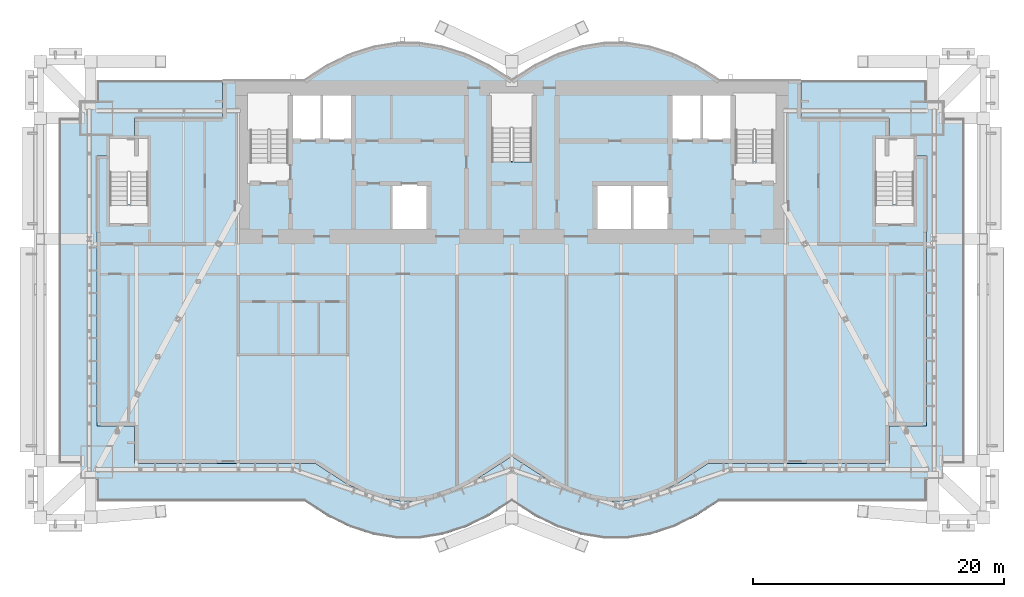
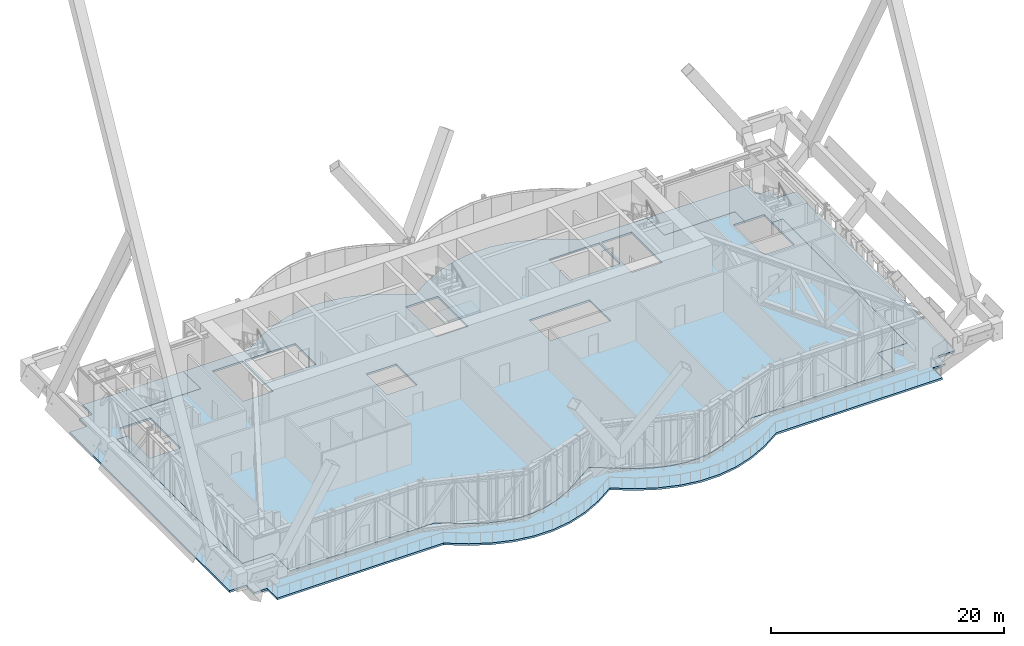
# One storey, part 20 of 30: 3 slabs, 1 element without a shape of its own.
"""IFC4 building model written with IfcOpenShell, lengths in metres."""

from ifc_helpers import new_model, si_unit, direction, frame, origin, place, context, subcontext, project, spatial, polyline, outline, extrude, material, layer, layer_set, type_object, element, aggregate, save


model = new_model("IFC4")

# Units and contexts
model_context = context("Model", 3, precision=1e-05, world=origin(), true_north=direction((0.0, 1.0)))
body_context = subcontext(model_context, "Body", "Model", "MODEL_VIEW")
ifc_project = project(units=[si_unit("LENGTHUNIT", "METRE"), si_unit("AREAUNIT", "SQUARE_METRE"), si_unit("VOLUMEUNIT", "CUBIC_METRE"), si_unit("PLANEANGLEUNIT", "RADIAN"), si_unit("MASSUNIT", "GRAM", prefix="KILO")], contexts=[model_context])

# Site, building, storey
site_placement = place(None, origin())
site = spatial("IfcSite", under=ifc_project, at=site_placement, CompositionType="ELEMENT")
building_placement = place(site_placement, origin())
building = spatial("IfcBuilding", under=site, at=building_placement, Name="Bicima Exchange Tower", CompositionType="ELEMENT")
storey_placement = place(building_placement, frame((0.0, 0.0, 185.5)))
storey = spatial("IfcBuildingStorey", under=building, at=storey_placement, Name="L41", CompositionType="ELEMENT", Elevation=185.5)

# Slabs
ifc_material_1 = material(Name="Concrete C40/50", Category="concrete")
ifc_layer_1 = layer(ifc_material_1, 0.199951171875)
ifc_layer_set_1 = layer_set([ifc_layer_1], Name="Concrete C40/50")
slab_type_1 = type_object("IfcSlabType", Name="Composite refuge floor slab 200", PredefinedType="FLOOR", material=ifc_layer_set_1)
slab_1_placement = place(storey_placement, frame((0.0, 0.0, -0.199951171875)))
element("IfcSlab", 1, at=slab_1_placement, inside=storey, type_object=slab_type_1, Name="Floor slab", PredefinedType="FLOOR", context=body_context, shape_type="SweptSolid", body=[
    extrude(outline(polyline([(33.0, -6.0), (33.0, -27.4599609375), (30.0, -27.4599609375), (30.0, -30.4599609375), (15.61474609375, -30.4599609375), (13.1923828125, -32.02587890625), (11.712158203125, -32.74365234375), (10.295166015625, -33.20166015625), (8.92578125, -33.423095703125), (7.57421875, -33.423095703125), (6.204833984375, -33.20166015625), (4.787841796875, -32.74365234375), (3.3076171875, -32.02587890625), (0.0, -29.8876953125), (-3.3076171875, -32.02587890625), (-4.787841796875, -32.74365234375), (-6.204833984375, -33.20166015625), (-7.57421875, -33.423095703125), (-8.92578125, -33.423095703125), (-10.295166015625, -33.20166015625), (-11.712158203125, -32.74365234375), (-13.1923828125, -32.02587890625), (-15.61474609375, -30.4599609375), (-30.0, -30.4599609375), (-30.0, -27.4599609375), (-33.0, -27.4599609375), (-33.0, -6.0), (-31.97509765625, -6.0), (-31.97509765625, -9.824951171875), (-28.925048828125, -9.824951171875), (-28.925048828125, -4.625), (-30.0, -4.625), (-30.0, -3.0), (-23.0, -3.0), (-23.0, 0.0), (-16.5, 0.0), (-14.666748046875, 1.185302734375), (-12.833251953125, 2.07421875), (-11.0, 2.666748046875), (-9.166748046875, 2.962890625), (-7.333251953125, 2.962890625), (-5.5, 2.666748046875), (-3.666748046875, 2.07421875), (-1.833251953125, 1.185302734375), (0.0, 0.0), (1.833251953125, 1.185302734375), (3.666748046875, 2.07421875), (5.5, 2.666748046875), (7.333251953125, 2.962890625), (9.166748046875, 2.962890625), (11.0, 2.666748046875), (12.833251953125, 2.07421875), (14.666748046875, 1.185302734375), (16.5, 0.0), (23.0, 0.0), (23.0, -3.0), (30.0, -3.0), (30.0, -4.625), (28.925048828125, -4.625), (28.925048828125, -9.824951171875), (31.97509765625, -9.824951171875), (31.97509765625, -6.0), (33.0, -6.0)]), holes=[polyline([(-6.60009765625, -11.800048828125), (-6.60009765625, -8.199951171875), (-9.60009765625, -8.199951171875), (-9.60009765625, -11.800048828125), (-6.60009765625, -11.800048828125)]), polyline([(-20.800048828125, -6.449951171875), (-17.800048828125, -6.449951171875), (-17.800048828125, -1.199951171875), (-20.800048828125, -1.199951171875), (-20.800048828125, -6.449951171875)]), polyline([(1.574951171875, -6.39990234375), (1.574951171875, -1.199951171875), (-1.574951171875, -1.199951171875), (-1.574951171875, -6.39990234375), (1.574951171875, -6.39990234375)]), polyline([(-12.60009765625, -4.800048828125), (-12.60009765625, -1.199951171875), (-15.10009765625, -1.199951171875), (-17.60009765625, -1.199951171875), (-17.60009765625, -4.800048828125), (-15.10009765625, -4.800048828125), (-12.60009765625, -4.800048828125)]), polyline([(12.60009765625, -8.199951171875), (9.60009765625, -8.199951171875), (6.60009765625, -8.199951171875), (6.60009765625, -11.800048828125), (9.60009765625, -11.800048828125), (12.60009765625, -11.800048828125), (12.60009765625, -8.199951171875)]), polyline([(20.800048828125, -6.449951171875), (20.800048828125, -1.199951171875), (17.800048828125, -1.199951171875), (17.800048828125, -6.449951171875), (20.800048828125, -6.449951171875)]), polyline([(17.60009765625, -4.800048828125), (17.60009765625, -1.199951171875), (15.10009765625, -1.199951171875), (12.60009765625, -1.199951171875), (12.60009765625, -4.800048828125), (15.10009765625, -4.800048828125), (17.60009765625, -4.800048828125)])]), origin(), (0.0, 0.0, 1.0), 0.199951171875),
])
slab_2_placement = place(storey_placement, frame((0.0, 0.0, -0.199951171875)))
element("IfcSlab", 2, at=slab_2_placement, inside=storey, type_object=slab_type_1, Name="Refuge terrace slab", PredefinedType="FLOOR", context=body_context, shape_type="SweptSolid", body=[
    extrude(outline(polyline([(30.0, -3.0), (23.0, -3.0), (23.0, 0.0), (33.0, 0.0), (33.0, -1.699951171875), (34.300048828125, -1.699951171875), (34.300048828125, -3.0), (36.0, -3.0), (36.0, -30.4599609375), (34.300048828125, -30.4599609375), (34.300048828125, -31.760009765625), (33.0, -31.760009765625), (33.0, -33.4599609375), (16.5, -33.4599609375), (14.666748046875, -34.645263671875), (12.833251953125, -35.5341796875), (11.0, -36.126708984375), (9.166748046875, -36.423095703125), (7.333251953125, -36.423095703125), (5.5, -36.126708984375), (3.666748046875, -35.5341796875), (1.833251953125, -34.645263671875), (0.0, -33.4599609375), (-1.833251953125, -34.645263671875), (-3.666748046875, -35.5341796875), (-5.5, -36.126708984375), (-7.333251953125, -36.423095703125), (-9.166748046875, -36.423095703125), (-11.0, -36.126708984375), (-12.833251953125, -35.5341796875), (-14.666748046875, -34.645263671875), (-16.5, -33.4599609375), (-33.0, -33.4599609375), (-33.0, -31.760009765625), (-34.300048828125, -31.760009765625), (-34.300048828125, -30.4599609375), (-36.0, -30.4599609375), (-36.0, -3.0), (-34.300048828125, -3.0), (-34.300048828125, -1.699951171875), (-33.0, -1.699951171875), (-33.0, 0.0), (-23.0, 0.0), (-23.0, -3.0), (-30.0, -3.0), (-30.0, -4.625), (-31.97509765625, -4.625), (-31.97509765625, -6.0), (-33.0, -6.0), (-33.0, -27.4599609375), (-30.0, -27.4599609375), (-30.0, -30.4599609375), (-15.61474609375, -30.4599609375), (-13.1923828125, -32.02587890625), (-11.712158203125, -32.74365234375), (-10.295166015625, -33.20166015625), (-8.92578125, -33.423095703125), (-7.57421875, -33.423095703125), (-6.204833984375, -33.20166015625), (-4.787841796875, -32.74365234375), (-3.3076171875, -32.02587890625), (0.0, -29.8876953125), (3.3076171875, -32.02587890625), (4.787841796875, -32.74365234375), (6.204833984375, -33.20166015625), (7.57421875, -33.423095703125), (8.92578125, -33.423095703125), (10.295166015625, -33.20166015625), (11.712158203125, -32.74365234375), (13.1923828125, -32.02587890625), (15.61474609375, -30.4599609375), (30.0, -30.4599609375), (30.0, -27.4599609375), (33.0, -27.4599609375), (33.0, -6.0), (31.97509765625, -6.0), (31.97509765625, -4.625), (30.0, -4.625), (30.0, -3.0)])), origin(), (0.0, 0.0, 1.0), 0.199951171875),
])

# Stair, slab
ifc_material_2 = material(Name="Concrete C50/60", Category="concrete")
stair_type = type_object("IfcStairType", Name="Exit stair 1500", PredefinedType="HALF_TURN_STAIR", material=ifc_material_2)
stair_placement = place(storey_placement, origin())
stair = element("IfcStair", 3, at=stair_placement, inside=storey, type_object=stair_type, Name="L41 Central exit stair", PredefinedType="HALF_TURN_STAIR")
ifc_layer_2 = layer(ifc_material_2, 0.199951171875)
ifc_layer_set_2 = layer_set([ifc_layer_2], Name="Concrete C50/60")
slab_type_2 = type_object("IfcSlabType", Name="Stair landing slab", PredefinedType="LANDING", material=ifc_layer_set_2)
slab_3_placement = place(storey_placement, frame((0.0, 0.0, 2.5)))
slab_3 = element("IfcSlab", 4, at=slab_3_placement, type_object=slab_type_2, Name="ST-C landing 2", PredefinedType="LANDING", context=body_context, shape_type="SweptSolid", body=[
    extrude(outline(polyline([(1.77490234375, -8.199951171875), (1.77490234375, -6.5), (-1.77490234375, -6.5), (-1.77490234375, -8.199951171875), (1.77490234375, -8.199951171875)])), origin(), (0.0, 0.0, 1.0), 0.199951171875),
])
aggregate(stair, [slab_3])

save(model, "model.ifc")
